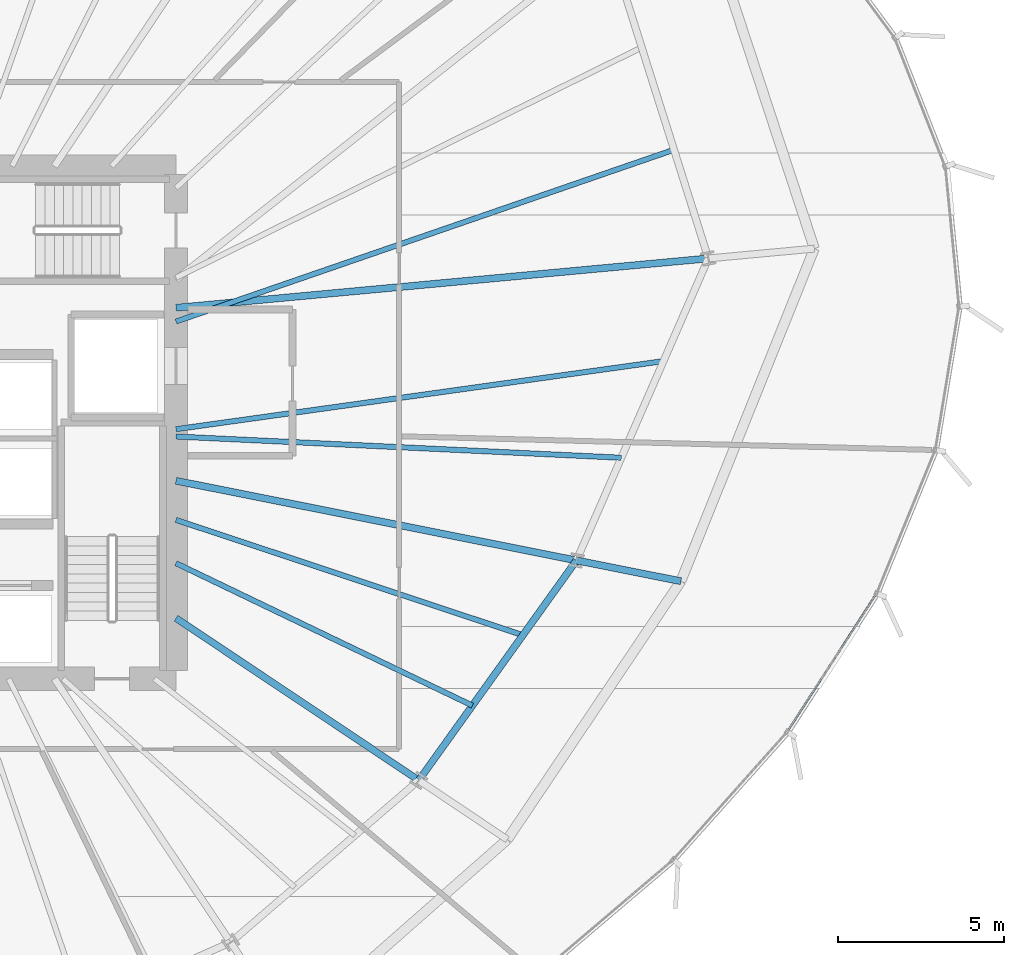
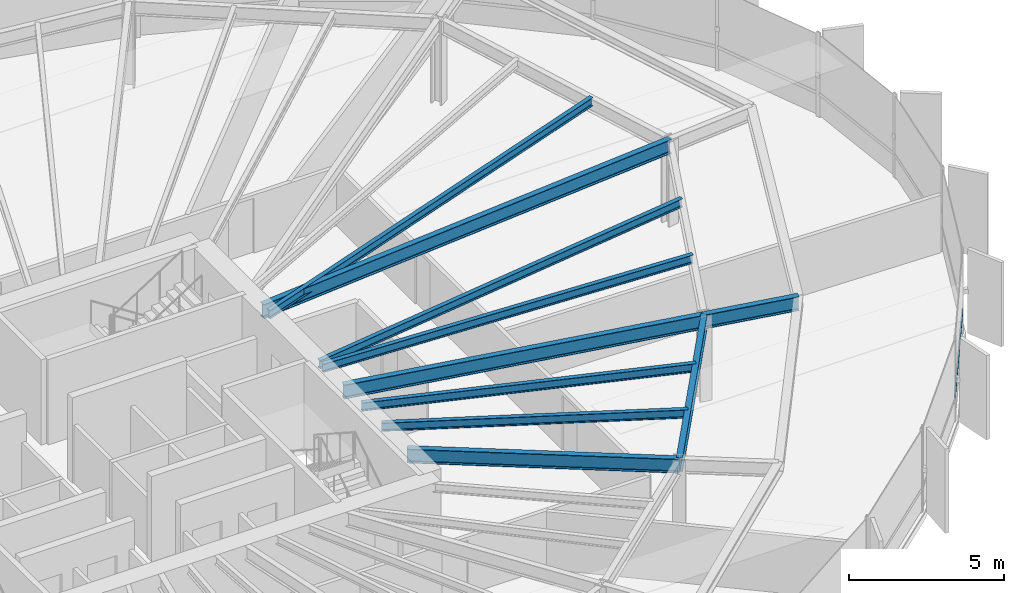
# One storey, part 15 of 35: 10 beams, 1 member, 1 element without a shape of its own.
"""IFC4 building model written with IfcOpenShell, lengths in metres."""

from ifc_helpers import new_model, si_unit, direction, frame, origin, origin_2d, place, context, subcontext, project, spatial, hollow_rectangle, i_section, extrude, source, transform, mapped, material, layer, layer_set, material_profile, profile_set, type_object, element, aggregate, save


model = new_model("IFC4")

# Units and contexts
model_context = context("Model", 3, precision=1e-05, world=origin(), true_north=direction((0.0, 1.0)))
body_context = subcontext(model_context, "Body", "Model", "MODEL_VIEW")
ifc_project = project(units=[si_unit("LENGTHUNIT", "METRE"), si_unit("AREAUNIT", "SQUARE_METRE"), si_unit("VOLUMEUNIT", "CUBIC_METRE"), si_unit("PLANEANGLEUNIT", "RADIAN"), si_unit("MASSUNIT", "GRAM", prefix="KILO"), si_unit("THERMODYNAMICTEMPERATUREUNIT", "KELVIN")], contexts=[model_context])

# Site, building, storey
site_placement = place(None, origin())
site = spatial("IfcSite", under=ifc_project, at=site_placement, CompositionType="ELEMENT")
building_placement = place(site_placement, origin())
building = spatial("IfcBuilding", under=site, at=building_placement, Name="Kethvar Cultural Tower", CompositionType="ELEMENT")
storey_placement = place(building_placement, frame((0.0, 0.0, 89.199951171875)))
storey = spatial("IfcBuildingStorey", under=building, at=storey_placement, Name="L21", CompositionType="ELEMENT", Elevation=89.199951171875)

# Beams
ifc_material_1 = material(Name="Steel S355J2", Category="steel")
ifc_material_profile_1 = material_profile(ifc_material_1, i_section(OverallWidth=0.2099609375, OverallDepth=0.550048828125, WebThickness=0.010986328125, FlangeThickness=0.01708984375, FilletRadius=0.02392578125, at=origin_2d()), Name="Steel S355J2 — IPE550")
ifc_profile_set_1 = profile_set([ifc_material_profile_1], Name="Steel S355J2 — IPE550")
beam_type_1 = type_object("IfcBeamType", Name="BM-IPE550", PredefinedType="BEAM", material=ifc_profile_set_1)
shared_shape_1 = source(origin(), body_context, "Body", "SweptSolid", [
    extrude(i_section(OverallWidth=0.2099609375, OverallDepth=0.550048828125, WebThickness=0.010986328125, FlangeThickness=0.01708984375, FilletRadius=0.02392578125, at=origin_2d()), origin(), (0.0, 0.0, 1.0), 16.071044921875),
])
beam_1_placement = place(storey_placement, frame((55.60009765625, 31.25, 3.072998046875), z_axis=(0.995731009363, 0.092302529718, 0.0), x_axis=(-0.092302529718, 0.995731009363, 0.0)))
element("IfcBeam", 1, at=beam_1_placement, inside=storey, type_object=beam_type_1, Name="L21 Primary Radial Beam RB-01", PredefinedType="BEAM", context=body_context, shape_type="MappedRepresentation", body=[
    mapped(shared_shape_1, transform((0.0, 0.0, 0.0), scale=1.0)),
])
shared_shape_2 = source(origin(), body_context, "Body", "SweptSolid", [
    extrude(i_section(OverallWidth=0.2099609375, OverallDepth=0.550048828125, WebThickness=0.010986328125, FlangeThickness=0.01708984375, FilletRadius=0.02392578125, at=origin_2d()), origin(), (0.0, 0.0, 1.0), 3.199951171875),
])
beam_2_placement = place(storey_placement, frame((67.638671875, 23.65478515625, 3.072998046875), z_axis=(0.980785550224, -0.195088965533, 0.0), x_axis=(0.195088965533, 0.980785550224, 0.0)))
element("IfcBeam", 2, at=beam_2_placement, inside=storey, type_object=beam_type_1, Name="L21 Perimeter Cantilever Beam RC-16", PredefinedType="BEAM", context=body_context, shape_type="MappedRepresentation", body=[
    mapped(shared_shape_2, transform((0.0, 0.0, 0.0), scale=1.0)),
])
shared_shape_3 = source(origin(), body_context, "Body", "SweptSolid", [
    extrude(i_section(OverallWidth=0.2099609375, OverallDepth=0.550048828125, WebThickness=0.010986328125, FlangeThickness=0.01708984375, FilletRadius=0.02392578125, at=origin_2d()), origin(), (0.0, 0.0, 1.0), 8.77783203125),
])
beam_3_placement = place(storey_placement, frame((55.60009765625, 21.919921875, 3.072998046875), z_axis=(0.831472186778, -0.555566380026, 0.0), x_axis=(0.555566380026, 0.831472186778, 0.0)))
element("IfcBeam", 3, at=beam_3_placement, inside=storey, type_object=beam_type_1, Name="L21 Primary Radial Beam RB-15", PredefinedType="BEAM", context=body_context, shape_type="MappedRepresentation", body=[
    mapped(shared_shape_3, transform((0.0, 0.0, 0.0), scale=1.0)),
])
shared_shape_4 = source(origin(), body_context, "Body", "SweptSolid", [
    extrude(i_section(OverallWidth=0.2099609375, OverallDepth=0.550048828125, WebThickness=0.010986328125, FlangeThickness=0.01708984375, FilletRadius=0.02392578125, at=origin_2d()), origin(), (0.0, 0.0, 1.0), 12.2744140625),
])
beam_4_placement = place(storey_placement, frame((55.60009765625, 26.049560546875, 3.072998046875), z_axis=(0.980782878234, -0.195102398146, 0.0), x_axis=(0.195102398146, 0.980782878234, 0.0)))
element("IfcBeam", 4, at=beam_4_placement, inside=storey, type_object=beam_type_1, Name="L21 Primary Radial Beam RB-16", PredefinedType="BEAM", context=body_context, shape_type="MappedRepresentation", body=[
    mapped(shared_shape_4, transform((0.0, 0.0, 0.0), scale=1.0)),
])
ifc_material_profile_2 = material_profile(ifc_material_1, i_section(OverallWidth=0.159912109375, OverallDepth=0.330078125, WebThickness=0.007568359375, FlangeThickness=0.011474609375, FilletRadius=0.01806640625, at=origin_2d()), Name="Steel S355J2 — IPE330")
ifc_profile_set_2 = profile_set([ifc_material_profile_2], Name="Steel S355J2 — IPE330")
beam_type_2 = type_object("IfcBeamType", Name="BM-J330", PredefinedType="JOIST", material=ifc_profile_set_2)
shared_shape_5 = source(origin(), body_context, "Body", "SweptSolid", [
    extrude(i_section(OverallWidth=0.159912109375, OverallDepth=0.330078125, WebThickness=0.007568359375, FlangeThickness=0.011474609375, FilletRadius=0.01806640625, at=origin_2d()), origin(), (0.0, 0.0, 1.0), 15.836669921875),
])
beam_5_placement = place(storey_placement, frame((55.60009765625, 30.836181640625, 3.18310546875), z_axis=(0.945315135904, 0.326158387644, 0.0), x_axis=(-0.326158387644, 0.945315135904, 0.0)))
element("IfcBeam", 5, at=beam_5_placement, inside=storey, type_object=beam_type_2, Name="L21 Composite Floor Joist J-01A", PredefinedType="JOIST", context=body_context, shape_type="MappedRepresentation", body=[
    mapped(shared_shape_5, transform((0.0, 0.0, 0.0), scale=1.0)),
])
shared_shape_6 = source(origin(), body_context, "Body", "SweptSolid", [
    extrude(i_section(OverallWidth=0.2099609375, OverallDepth=0.550048828125, WebThickness=0.010986328125, FlangeThickness=0.01708984375, FilletRadius=0.02392578125, at=origin_2d()), origin(), (0.0, 0.0, 1.0), 8.13525390625),
])
beam_6_placement = place(storey_placement, frame((62.898681640625, 17.043212890625, 3.072998046875), z_axis=(0.582656731995, 0.812718359988, 0.0), x_axis=(-0.812718359988, 0.582656731995, 0.0)))
element("IfcBeam", 6, at=beam_6_placement, inside=storey, type_object=beam_type_1, Name="L21 Column Ring Tie Beam CR-15", PredefinedType="BEAM", context=body_context, shape_type="MappedRepresentation", body=[
    mapped(shared_shape_6, transform((0.0, 0.0, 0.0), scale=1.0)),
])
shared_shape_7 = source(origin(), body_context, "Body", "SweptSolid", [
    extrude(i_section(OverallWidth=0.159912109375, OverallDepth=0.330078125, WebThickness=0.007568359375, FlangeThickness=0.011474609375, FilletRadius=0.01806640625, at=origin_2d()), origin(), (0.0, 0.0, 1.0), 9.885009765625),
])
beam_7_placement = place(storey_placement, frame((55.60009765625, 23.572021484375, 3.18310546875), z_axis=(0.901369611334, -0.43305060185, 0.0), x_axis=(0.43305060185, 0.901369611334, 0.0)))
element("IfcBeam", 7, at=beam_7_placement, inside=storey, type_object=beam_type_2, Name="L21 Composite Floor Joist J-15A", PredefinedType="JOIST", context=body_context, shape_type="MappedRepresentation", body=[
    mapped(shared_shape_7, transform((0.0, 0.0, 0.0), scale=1.0)),
])
shared_shape_8 = source(origin(), body_context, "Body", "SweptSolid", [
    extrude(i_section(OverallWidth=0.159912109375, OverallDepth=0.330078125, WebThickness=0.007568359375, FlangeThickness=0.011474609375, FilletRadius=0.01806640625, at=origin_2d()), origin(), (0.0, 0.0, 1.0), 10.98828125),
])
beam_8_placement = place(storey_placement, frame((55.60009765625, 24.8740234375, 3.18310546875), z_axis=(0.948918548228, -0.315521138481, 0.0), x_axis=(0.315521138481, 0.948918548228, 0.0)))
element("IfcBeam", 8, at=beam_8_placement, inside=storey, type_object=beam_type_2, Name="L21 Composite Floor Joist J-15B", PredefinedType="JOIST", context=body_context, shape_type="MappedRepresentation", body=[
    mapped(shared_shape_8, transform((0.0, 0.0, 0.0), scale=1.0)),
])
shared_shape_9 = source(origin(), body_context, "Body", "SweptSolid", [
    extrude(i_section(OverallWidth=0.159912109375, OverallDepth=0.330078125, WebThickness=0.007568359375, FlangeThickness=0.011474609375, FilletRadius=0.01806640625, at=origin_2d()), origin(), (0.0, 0.0, 1.0), 13.4013671875),
])
beam_9_placement = place(storey_placement, frame((55.60009765625, 27.380126953125, 3.18310546875), z_axis=(0.998864631653, -0.047638719894, 0.0), x_axis=(0.047638719894, 0.998864631653, 0.0)))
element("IfcBeam", 9, at=beam_9_placement, inside=storey, type_object=beam_type_2, Name="L21 Composite Floor Joist J-16A", PredefinedType="JOIST", context=body_context, shape_type="MappedRepresentation", body=[
    mapped(shared_shape_9, transform((0.0, 0.0, 0.0), scale=1.0)),
])
shared_shape_10 = source(origin(), body_context, "Body", "SweptSolid", [
    extrude(i_section(OverallWidth=0.159912109375, OverallDepth=0.330078125, WebThickness=0.007568359375, FlangeThickness=0.011474609375, FilletRadius=0.01806640625, at=origin_2d()), origin(), (0.0, 0.0, 1.0), 14.797119140625),
])
beam_10_placement = place(storey_placement, frame((55.60009765625, 27.60009765625, 3.18310546875), z_axis=(0.990388450305, 0.138313836986, 0.0), x_axis=(-0.138313836986, 0.990388450305, 0.0)))
element("IfcBeam", 10, at=beam_10_placement, inside=storey, type_object=beam_type_2, Name="L21 Composite Floor Joist J-16B", PredefinedType="JOIST", context=body_context, shape_type="MappedRepresentation", body=[
    mapped(shared_shape_10, transform((0.0, 0.0, 0.0), scale=1.0)),
])

# Curtain wall, member
ifc_material_2 = material(Name="Aluminium 6063-T6", Category="aluminium")
ifc_layer = layer(ifc_material_2, 0.179931640625, Name="Aluminium 6063-T6", Category="aluminium")
ifc_layer_set = layer_set([ifc_layer], Name="Aluminium 6063-T6 (180 mm)")
curtain_wall_type = type_object("IfcCurtainWallType", Name="CW-SYS-03-Z2", PredefinedType="NOTDEFINED", material=ifc_layer_set)
curtain_wall_placement = place(storey_placement, origin())
curtain_wall = element("IfcCurtainWall", 11, at=curtain_wall_placement, inside=storey, type_object=curtain_wall_type, Name="L21 Curtain Wall Run 06", PredefinedType="NOTDEFINED")
ifc_material_profile_3 = material_profile(ifc_material_2, hollow_rectangle(XDim=0.054931640625, YDim=0.1201171875, WallThickness=0.00390625, at=origin_2d()), Name="Aluminium 6063-T6 — RHS120x55x4")
ifc_profile_set_3 = profile_set([ifc_material_profile_3], Name="Aluminium 6063-T6 — RHS120x55x4")
member_type = type_object("IfcMemberType", Name="CW-SYS-03-Z2-TRN", PredefinedType="USERDEFINED", material=ifc_profile_set_3)
shared_shape_11 = source(origin(), body_context, "Body", "SweptSolid", [
    extrude(hollow_rectangle(XDim=0.054931640625, YDim=0.1201171875, WallThickness=0.00390625, at=origin_2d()), origin(), (0.0, 0.0, 1.0), 4.888427734375),
])
member_placement = place(storey_placement, frame((73.997802734375, 18.540283203125, 0.949951171875), z_axis=(0.542039272698, 0.840353156032, 0.0), x_axis=(-0.840353156032, 0.542039272698, 0.0)))
member = element("IfcMember", 12, at=member_placement, type_object=member_type, Name="CW-L21-R06 Transom 2", ObjectType="TRANSOM", PredefinedType="USERDEFINED", context=body_context, shape_type="MappedRepresentation", body=[
    mapped(shared_shape_11, transform((0.0, 0.0, 0.0), scale=1.0)),
])
aggregate(curtain_wall, [member])

save(model, "model.ifc")
